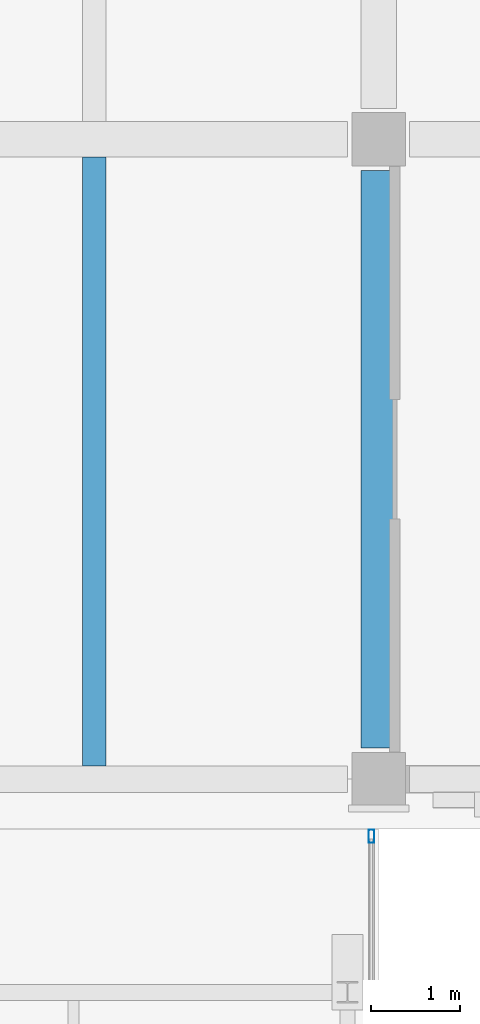
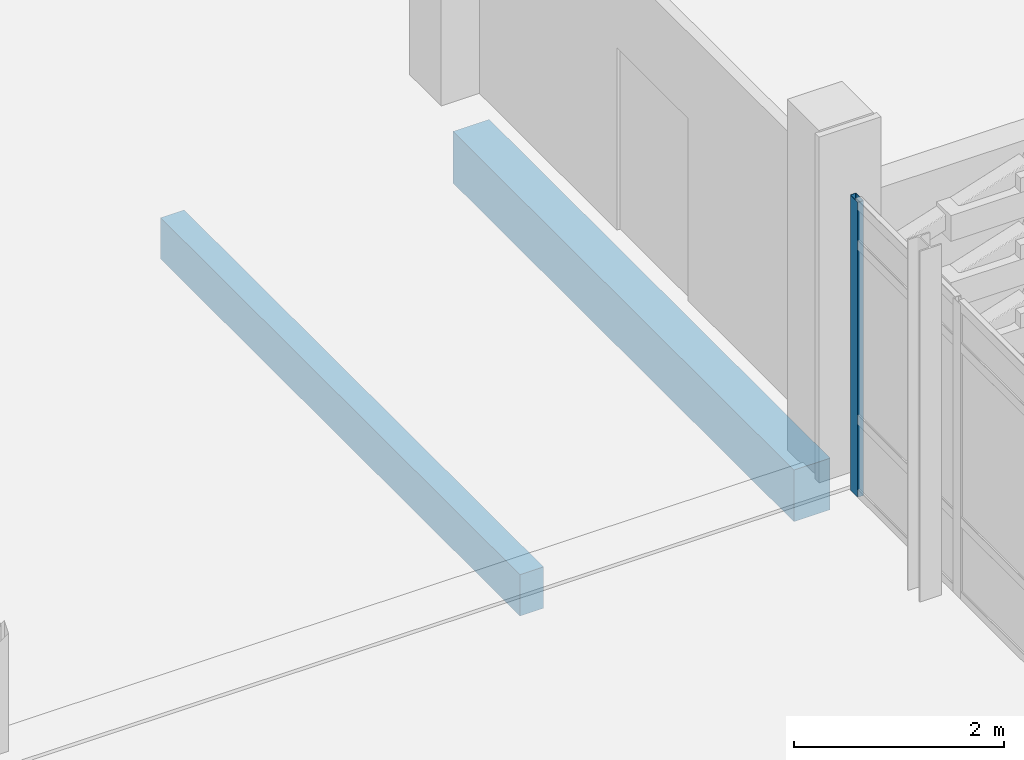
# One storey, part 12 of 134: 2 beams, 1 member, 1 element without a shape of its own.
"""IFC4 building model written with IfcOpenShell, lengths in metres."""

from ifc_helpers import new_model, si_unit, direction, frame, origin, origin_2d, place, context, subcontext, project, spatial, rectangle, hollow_rectangle, extrude, material, layer, layer_set, material_profile, profile_set, type_object, element, aggregate, save


model = new_model("IFC4")

# Units and contexts
model_context = context("Model", 3, precision=1e-05, world=origin(), true_north=direction((0.0, 1.0)))
body_context = subcontext(model_context, "Body", "Model", "MODEL_VIEW")
ifc_project = project(units=[si_unit("LENGTHUNIT", "METRE"), si_unit("AREAUNIT", "SQUARE_METRE"), si_unit("VOLUMEUNIT", "CUBIC_METRE"), si_unit("PLANEANGLEUNIT", "RADIAN"), si_unit("MASSUNIT", "GRAM", prefix="KILO")], contexts=[model_context])

# Site, building, storey
site_placement = place(None, origin())
site = spatial("IfcSite", under=ifc_project, at=site_placement, CompositionType="ELEMENT")
building_placement = place(site_placement, origin())
building = spatial("IfcBuilding", under=site, at=building_placement, Name="Asteropetra Specialist Clinic", CompositionType="ELEMENT")
storey_placement = place(building_placement, frame((0.0, 0.0, 8.5)))
storey = spatial("IfcBuildingStorey", under=building, at=storey_placement, Name="L02", CompositionType="ELEMENT", Elevation=8.5)

# Beam
ifc_material_1 = material(Name="Concrete C35/45", Category="concrete")
ifc_material_profile_1 = material_profile(ifc_material_1, rectangle(XDim=0.39990234375, YDim=0.60009765625, at=origin_2d()), Name="RCB 400x600")
ifc_profile_set_1 = profile_set([ifc_material_profile_1], Name="Concrete C35/45")
beam_type_1 = type_object("IfcBeamType", Name="BM-RC400x600", PredefinedType="BEAM", material=ifc_profile_set_1)
beam_1_placement = place(storey_placement, frame((28.800048828125, 33.949951171875, -0.60009765625), z_axis=(0.0, 1.0, 0.0), x_axis=(-1.0, 0.0, 0.0)))
element("IfcBeam", 1, at=beam_1_placement, inside=storey, type_object=beam_type_1, Name="Beam BBM08-1076", PredefinedType="BEAM", context=body_context, shape_type="SweptSolid", body=[
    extrude(rectangle(XDim=0.39990234375, YDim=0.60009765625, at=origin_2d()), origin(), (0.0, 0.0, 1.0), 6.5),
])

# Curtain wall, member
ifc_material_2 = material(Name="Aluminium and low-E glass", Category="aluminium")
ifc_layer = layer(ifc_material_2, 0.14990234375)
ifc_layer_set = layer_set([ifc_layer], Name="Aluminium and low-E glass")
curtain_wall_type = type_object("IfcCurtainWallType", Name="CW-SYS-08", PredefinedType="USERDEFINED", material=ifc_layer_set)
curtain_wall_placement = place(storey_placement, origin())
curtain_wall = element("IfcCurtainWall", 2, at=curtain_wall_placement, inside=storey, type_object=curtain_wall_type, Name="Curtain Wall CW-100", ObjectType="STICK GLAZED COLONNADE", PredefinedType="USERDEFINED")
ifc_material_3 = material(Name="Aluminium 6063-T6", Category="aluminium")
ifc_material_profile_2 = material_profile(ifc_material_3, hollow_rectangle(XDim=0.06494140625, YDim=0.14990234375, WallThickness=0.00390625, InnerFilletRadius=0.00390625, OuterFilletRadius=0.008056640625, at=origin_2d()), Name="MUL 150x65x4.0")
ifc_profile_set_2 = profile_set([ifc_material_profile_2], Name="Aluminium 6063-T6")
member_type = type_object("IfcMemberType", Name="CWM-150x65", PredefinedType="MULLION", material=ifc_profile_set_2)
member_placement = place(storey_placement, frame((28.719970703125, 32.95751953125, 0.0), z_axis=(0.0, 0.0, 1.0), x_axis=(1.0, 0.0, 0.0)))
member = element("IfcMember", 3, at=member_placement, type_object=member_type, Name="CW-100 mullion 1", PredefinedType="MULLION", context=body_context, shape_type="SweptSolid", body=[
    extrude(hollow_rectangle(XDim=0.06494140625, YDim=0.14990234375, WallThickness=0.00390625, InnerFilletRadius=0.00390625, OuterFilletRadius=0.008056640625, at=origin_2d()), origin(), (0.0, 0.0, 1.0), 3.429931640625),
])
aggregate(curtain_wall, [member])

# Beam
ifc_material_4 = material(Name="Concrete C35/45", Category="concrete")
ifc_material_profile_3 = material_profile(ifc_material_4, rectangle(XDim=0.260009765625, YDim=0.47998046875, at=origin_2d()), Name="RCJ 260x480")
ifc_profile_set_3 = profile_set([ifc_material_profile_3], Name="Concrete C35/45")
beam_type_2 = type_object("IfcBeamType", Name="JST-RC260x480", PredefinedType="JOIST", material=ifc_profile_set_3)
beam_2_placement = place(storey_placement, frame((25.60009765625, 33.75, -0.5400390625), z_axis=(0.0, 1.0, 0.0), x_axis=(-1.0, 0.0, 0.0)))
element("IfcBeam", 4, at=beam_2_placement, inside=storey, type_object=beam_type_2, Name="Joist JJST02-1080", PredefinedType="JOIST", context=body_context, shape_type="SweptSolid", body=[
    extrude(rectangle(XDim=0.260009765625, YDim=0.47998046875, at=origin_2d()), origin(), (0.0, 0.0, 1.0), 6.85009765625),
])

save(model, "model.ifc")
